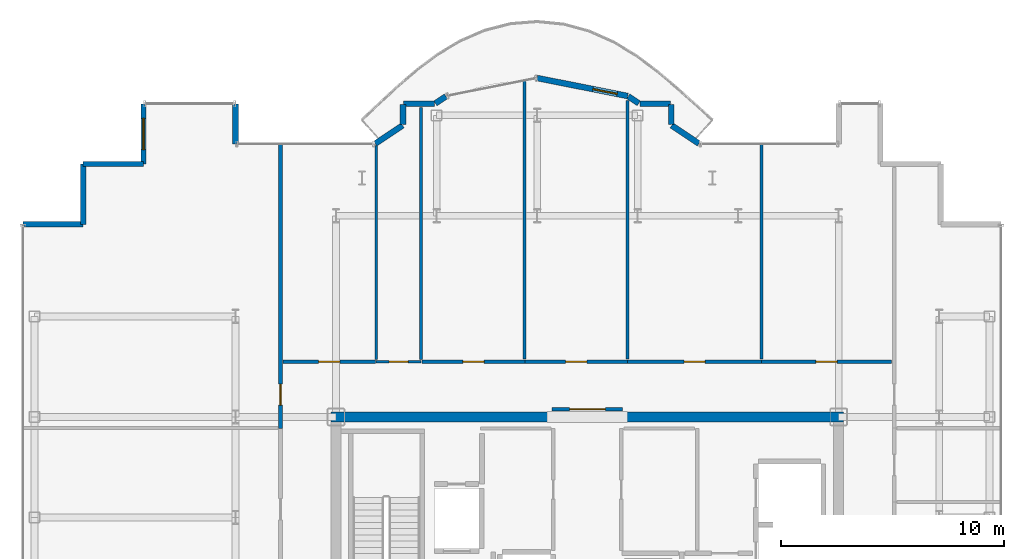
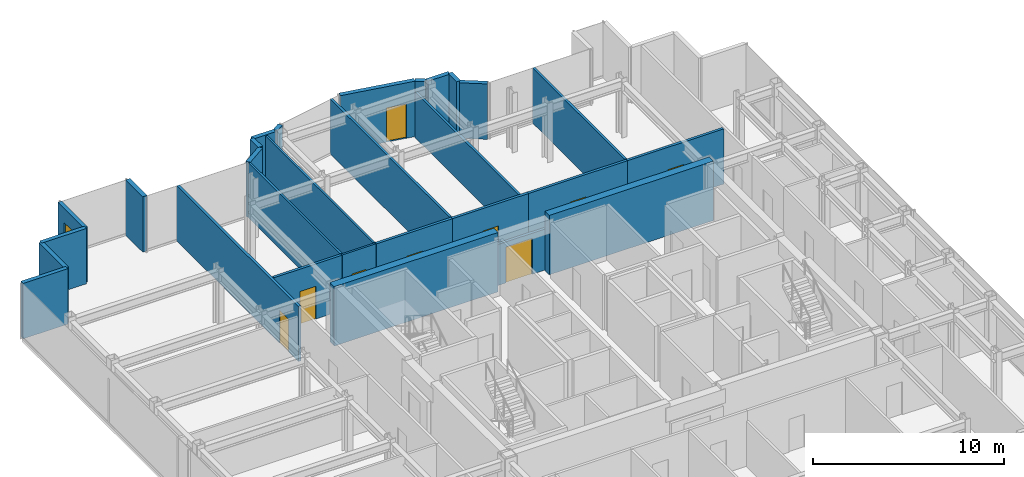
# One storey, part 16 of 18: 29 walls, 9 doors, 1 window, 10 openings.
"""IFC4 building model written with IfcOpenShell, lengths in metres."""

from ifc_helpers import new_model, si_unit, direction, frame, frame_2d, origin, place, context, subcontext, project, spatial, rectangle, extrude, source, transform, mapped, material, layer, layer_set, type_object, element, fill, save


model = new_model("IFC4")

# Units and contexts
model_context = context("Model", 3, precision=1e-05, world=origin(), true_north=direction((0.0, 1.0)))
body_context = subcontext(model_context, "Body", "Model", "MODEL_VIEW")
ifc_project = project(units=[si_unit("LENGTHUNIT", "METRE"), si_unit("AREAUNIT", "SQUARE_METRE"), si_unit("VOLUMEUNIT", "CUBIC_METRE"), si_unit("PLANEANGLEUNIT", "RADIAN"), si_unit("MASSUNIT", "GRAM", prefix="KILO")], contexts=[model_context])

# Site, building, storey
site_placement = place(None, origin())
site = spatial("IfcSite", under=ifc_project, at=site_placement, CompositionType="ELEMENT")
building_placement = place(site_placement, origin())
building = spatial("IfcBuilding", under=site, at=building_placement, Name="Nefas-Gora Pilgrimage Tower", CompositionType="ELEMENT")
storey_placement = place(building_placement, frame((0.0, 0.0, 291.199951171875)))
storey = spatial("IfcBuildingStorey", under=building, at=storey_placement, Name="L73", CompositionType="ELEMENT", Elevation=291.199951171875)

# Walls
ifc_material_1 = material(Name="Concrete C50/60", Category="concrete")
ifc_layer_1 = layer(ifc_material_1, 0.449951171875)
ifc_layer_set_1 = layer_set([ifc_layer_1], Name="Concrete C50/60")
wall_type_1 = type_object("IfcWallType", Name="SW-CORE-450", PredefinedType="SHEAR", material=ifc_layer_set_1)
shared_shape_1 = source(origin(), body_context, "Body", "SweptSolid", [
    extrude(rectangle(XDim=9.925048828125, YDim=0.449951171875, at=frame_2d((4.96240234375, 0.0))), origin(), (0.0, 0.0, 1.0), 3.800048828125),
])
for number, where, z_axis, x_axis, name in (
    (1, (-11.47509765625, 9.0, 0.0), (0.0, 0.0, 1.0), (1.0, 0.0, 0.0), "L73 Core Shear Wall N-West"),
    (2, (1.550048828125, 9.0, 0.0), (0.0, 0.0, 1.0), (1.0, 0.0, 0.0), "L73 Core Shear Wall N-East"),
):
    element("IfcWall", number, at=place(storey_placement, frame(where, z_axis=z_axis, x_axis=x_axis)), inside=storey, type_object=wall_type_1, Name=name, PredefinedType="SHEAR", context=body_context, shape_type="MappedRepresentation", body=[
        mapped(shared_shape_1, transform((0.0, 0.0, 0.0), x_axis=(1.0, 0.0, 0.0), y_axis=(0.0, 1.0, 0.0), z_axis=(0.0, 0.0, 1.0), scale=1.0)),
    ])
ifc_material_2 = material(Name="Precast concrete C40/50", Category="concrete")
ifc_layer_2 = layer(ifc_material_2, 0.260009765625)
ifc_layer_set_2 = layer_set([ifc_layer_2], Name="Precast concrete C40/50")
wall_type_2 = type_object("IfcWallType", Name="EW-PORTAL-260", PredefinedType="SOLIDWALL", material=ifc_layer_set_2)
shared_shape_2 = source(origin(), body_context, "Body", "SweptSolid", [
    extrude(rectangle(XDim=1.800048828125, YDim=0.260009765625, at=frame_2d((0.89990234375, 0.0))), origin(), (0.0, 0.0, 1.0), 3.550048828125),
])
wall_1_placement = place(storey_placement, frame((-15.75, 21.219970703125, 0.0), z_axis=(0.0, 0.0, 1.0), x_axis=(0.0, 1.0, 0.0)))
element("IfcWall", 3, at=wall_1_placement, inside=storey, type_object=wall_type_2, Name="L73 Lobe Shoulder Precast Spandrel Pier 16", PredefinedType="SOLIDWALL", context=body_context, shape_type="MappedRepresentation", body=[
    mapped(shared_shape_2, transform((0.0, 0.0, 0.0), x_axis=(1.0, 0.0, 0.0), y_axis=(0.0, 1.0, 0.0), z_axis=(0.0, 0.0, 1.0), scale=1.0)),
])

# Wall, opening, window
ifc_material_3 = material(Name="Precast concrete C45/55", Category="concrete")
ifc_layer_3 = layer(ifc_material_3, 0.239990234375)
ifc_layer_set_3 = layer_set([ifc_layer_3], Name="Precast concrete C45/55")
wall_type_3 = type_object("IfcWallType", Name="EW-SERR-240", PredefinedType="SHEAR", material=ifc_layer_set_3)
shared_shape_3 = source(origin(), body_context, "Body", "SweptSolid", [
    extrude(rectangle(XDim=2.699951171875, YDim=0.239990234375, at=frame_2d((1.35009765625, 0.0))), origin(), (0.0, 0.0, 1.0), 3.550048828125),
])
wall_2_placement = place(storey_placement, frame((-19.8701171875, 23.02001953125, 0.0), z_axis=(0.0, 0.0, 1.0), x_axis=(0.0, -1.0, 0.0)))
wall_2 = element("IfcWall", 4, at=wall_2_placement, inside=storey, type_object=wall_type_3, Name="L73 Serrated Corner Shear Pier Wall 17", PredefinedType="SHEAR", context=body_context, shape_type="MappedRepresentation", body=[
    mapped(shared_shape_3, transform((0.0, 0.0, 0.0), x_axis=(1.0, 0.0, 0.0), y_axis=(0.0, 1.0, 0.0), z_axis=(0.0, 0.0, 1.0), scale=1.0)),
])
opening_1_placement = place(wall_2_placement, frame((0.64990234375, 0.0, 0.85009765625)))
opening_1 = element("IfcOpeningElement", 5, at=opening_1_placement, cuts=wall_2, Name="Opening W-V2", PredefinedType="OPENING", context=body_context, shape_type="SweptSolid", body=[
    extrude(rectangle(XDim=1.39990234375, YDim=1.800048828125, at=frame_2d((0.699951171875, 0.89990234375))), frame((0.0, 0.1298828125, 0.0), z_axis=(0.0, -1.0, 0.0), x_axis=(1.0, 0.0, 0.0)), (0.0, 0.0, 1.0), 0.260009765625),
])
ifc_material_4 = material(Name="Dark ceramic-fritted operable aluminium-glass window", Category="aluminium")
window_type = type_object("IfcWindowType", Name="WIN-VENT-1400x1800", PartitioningType="SINGLE_PANEL", PredefinedType="WINDOW", material=ifc_material_4)
shared_shape_4 = source(origin(), body_context, "Body", "SweptSolid", [
    extrude(rectangle(XDim=1.39990234375, YDim=1.800048828125, at=frame_2d((0.699951171875, 0.89990234375))), frame((0.0, 0.030029296875, 0.0), z_axis=(0.0, -1.0, 0.0), x_axis=(1.0, 0.0, 0.0)), (0.0, 0.0, 1.0), 0.06005859375),
])
window_placement = place(opening_1_placement, origin())
window = element("IfcWindow", 6, at=window_placement, inside=storey, type_object=window_type, Name="L73 Operable Parallel-Outswing Window 17", OverallHeight=1.800048828125, OverallWidth=1.39990234375, PartitioningType="SINGLE_PANEL", PredefinedType="WINDOW", context=body_context, shape_type="MappedRepresentation", body=[
    mapped(shared_shape_4, transform((0.0, 0.0, 0.0), x_axis=(1.0, 0.0, 0.0), y_axis=(0.0, 1.0, 0.0), z_axis=(0.0, 0.0, 1.0), scale=1.0)),
])
fill(opening_1, window)

# Walls
for number, where, z_axis, x_axis, name in (
    (7, (-19.8701171875, 20.320068359375, 0.0), (0.0, 0.0, 1.0), (-1.0, 0.0, 0.0), "L73 Serrated Corner Shear Pier Wall 18"),
    (8, (-22.570068359375, 20.320068359375, 0.0), (0.0, 0.0, 1.0), (0.0, -1.0, 0.0), "L73 Serrated Corner Shear Pier Wall 19"),
    (9, (-22.570068359375, 17.6201171875, 0.0), (0.0, 0.0, 1.0), (-1.0, 0.0, 0.0), "L73 Serrated Corner Shear Pier Wall 20"),
):
    element("IfcWall", number, at=place(storey_placement, frame(where, z_axis=z_axis, x_axis=x_axis)), inside=storey, type_object=wall_type_3, Name=name, PredefinedType="SHEAR", context=body_context, shape_type="MappedRepresentation", body=[
        mapped(shared_shape_3, transform((0.0, 0.0, 0.0), x_axis=(1.0, 0.0, 0.0), y_axis=(0.0, 1.0, 0.0), z_axis=(0.0, 0.0, 1.0), scale=1.0)),
    ])
shared_shape_5 = source(origin(), body_context, "Body", "SweptSolid", [
    extrude(rectangle(XDim=1.468994140625, YDim=0.260009765625, at=frame_2d((0.734375, 0.0))), origin(), (0.0, 0.0, 1.0), 3.550048828125),
])
for number, where, z_axis, x_axis, name in (
    (10, (4.99462890625, 21.235595703125, 0.0), (0.0, 0.0, 1.0), (-0.831461760506, 0.555581983884, 0.0), "L73 Lobe Shoulder Precast Spandrel Pier 7"),
    (11, (-8.273193359375, 22.0517578125, 0.0), (0.0, 0.0, 1.0), (-0.831461760506, -0.555581983884, 0.0), "L73 Lobe Shoulder Precast Spandrel Pier 15"),
):
    element("IfcWall", number, at=place(storey_placement, frame(where, z_axis=z_axis, x_axis=x_axis)), inside=storey, type_object=wall_type_2, Name=name, PredefinedType="SOLIDWALL", context=body_context, shape_type="MappedRepresentation", body=[
        mapped(shared_shape_5, transform((0.0, 0.0, 0.0), x_axis=(1.0, 0.0, 0.0), y_axis=(0.0, 1.0, 0.0), z_axis=(0.0, 0.0, 1.0), scale=1.0)),
    ])
shared_shape_6 = source(origin(), body_context, "Body", "SweptSolid", [
    extrude(rectangle(XDim=0.896728515625, YDim=0.260009765625, at=frame_2d((0.4482421875, 0.0))), origin(), (0.0, 0.0, 1.0), 3.550048828125),
])
for number, where, z_axis, x_axis, name in (
    (12, (3.75, 22.09521484375, 0.0), (0.0, 0.0, 1.0), (0.0, 1.0, 0.0), "L73 Lobe Shoulder Precast Spandrel Pier 8"),
    (13, (-8.25, 22.991943359375, 0.0), (0.0, 0.0, 1.0), (0.0, -1.0, 0.0), "L73 Lobe Shoulder Precast Spandrel Pier 14"),
):
    element("IfcWall", number, at=place(storey_placement, frame(where, z_axis=z_axis, x_axis=x_axis)), inside=storey, type_object=wall_type_2, Name=name, PredefinedType="SOLIDWALL", context=body_context, shape_type="MappedRepresentation", body=[
        mapped(shared_shape_6, transform((0.0, 0.0, 0.0), x_axis=(1.0, 0.0, 0.0), y_axis=(0.0, 1.0, 0.0), z_axis=(0.0, 0.0, 1.0), scale=1.0)),
    ])
shared_shape_7 = source(origin(), body_context, "Body", "SweptSolid", [
    extrude(rectangle(XDim=1.369873046875, YDim=0.260009765625, at=frame_2d((0.68505859375, 0.0))), origin(), (0.0, 0.0, 1.0), 3.550048828125),
])
for number, where, z_axis, x_axis, name in (
    (14, (3.721923828125, 23.02001953125, 0.0), (0.0, 0.0, 1.0), (-1.0, 0.0, 0.0), "L73 Lobe Shoulder Precast Spandrel Pier 9"),
    (15, (-6.85205078125, 23.02001953125, 0.0), (0.0, 0.0, 1.0), (-1.0, 0.0, 0.0), "L73 Lobe Shoulder Precast Spandrel Pier 13"),
):
    element("IfcWall", number, at=place(storey_placement, frame(where, z_axis=z_axis, x_axis=x_axis)), inside=storey, type_object=wall_type_2, Name=name, PredefinedType="SOLIDWALL", context=body_context, shape_type="MappedRepresentation", body=[
        mapped(shared_shape_7, transform((0.0, 0.0, 0.0), x_axis=(1.0, 0.0, 0.0), y_axis=(0.0, 1.0, 0.0), z_axis=(0.0, 0.0, 1.0), scale=1.0)),
    ])
shared_shape_8 = source(origin(), body_context, "Body", "SweptSolid", [
    extrude(rectangle(XDim=0.5654296875, YDim=0.260009765625, at=frame_2d((0.28271484375, 0.0))), origin(), (0.0, 0.0, 1.0), 3.550048828125),
])
for number, where, z_axis, x_axis, name in (
    (16, (2.30078125, 23.03564453125, 0.0), (0.0, 0.0, 1.0), (-0.831651492666, 0.555297933317, 0.0), "L73 Lobe Shoulder Precast Spandrel Pier 10"),
    (17, (-6.33056640625, 23.349609375, 0.0), (0.0, 0.0, 1.0), (-0.831651492666, -0.555297933317, 0.0), "L73 Lobe Shoulder Precast Spandrel Pier 12"),
):
    element("IfcWall", number, at=place(storey_placement, frame(where, z_axis=z_axis, x_axis=x_axis)), inside=storey, type_object=wall_type_2, Name=name, PredefinedType="SOLIDWALL", context=body_context, shape_type="MappedRepresentation", body=[
        mapped(shared_shape_8, transform((0.0, 0.0, 0.0), x_axis=(1.0, 0.0, 0.0), y_axis=(0.0, 1.0, 0.0), z_axis=(0.0, 0.0, 1.0), scale=1.0)),
    ])

# Wall, opening, door
shared_shape_9 = source(origin(), body_context, "Body", "SweptSolid", [
    extrude(rectangle(XDim=4.136962890625, YDim=0.260009765625, at=frame_2d((2.068359375, 0.0))), origin(), (0.0, 0.0, 1.0), 3.550048828125),
])
wall_3_placement = place(storey_placement, frame((1.807373046875, 23.365234375, 0.0), z_axis=(0.0, 0.0, 1.0), x_axis=(-0.980782170794, 0.195105954428, 0.0)))
wall_3 = element("IfcWall", 18, at=wall_3_placement, inside=storey, type_object=wall_type_2, Name="L73 Insulated Terrace Portal Wall 11", PredefinedType="SOLIDWALL", context=body_context, shape_type="MappedRepresentation", body=[
    mapped(shared_shape_9, transform((0.0, 0.0, 0.0), x_axis=(1.0, 0.0, 0.0), y_axis=(0.0, 1.0, 0.0), z_axis=(0.0, 0.0, 1.0), scale=1.0)),
])
opening_2_placement = place(wall_3_placement, frame((0.48779296875, 0.0, 0.0)))
opening_2 = element("IfcOpeningElement", 19, at=opening_2_placement, cuts=wall_3, Name="Opening ED-B1", PredefinedType="OPENING", context=body_context, shape_type="SweptSolid", body=[
    extrude(rectangle(XDim=1.10009765625, YDim=2.199951171875, at=frame_2d((0.550048828125, 1.10009765625))), frame((0.0, 0.139892578125, 0.0), z_axis=(0.0, -1.0, 0.0), x_axis=(1.0, 0.0, 0.0)), (0.0, 0.0, 1.0), 0.280029296875),
])
ifc_material_5 = material(Name="Thermally broken glazed aluminium balcony door", Category="aluminium")
door_type_1 = type_object("IfcDoorType", Name="DR-EXT-BAL-1100", OperationType="NOTDEFINED", PredefinedType="DOOR", material=ifc_material_5)
shared_shape_10 = source(origin(), body_context, "Body", "SweptSolid", [
    extrude(rectangle(XDim=1.10009765625, YDim=2.199951171875, at=frame_2d((0.550048828125, 1.10009765625))), frame((0.0, 0.02490234375, 0.0), z_axis=(0.0, -1.0, 0.0), x_axis=(1.0, 0.0, 0.0)), (0.0, 0.0, 1.0), 0.050048828125),
])
door_1_placement = place(opening_2_placement, origin())
door_1 = element("IfcDoor", 20, at=door_1_placement, inside=storey, type_object=door_type_1, Name="L73 Exterior Door (L73 N Lobe Wave Balcony)", OperationType="SINGLE_SWING_RIGHT", OverallHeight=2.199951171875, OverallWidth=1.10009765625, PredefinedType="DOOR", context=body_context, shape_type="MappedRepresentation", body=[
    mapped(shared_shape_10, transform((0.0, 0.0, 0.0), x_axis=(1.0, 0.0, 0.0), y_axis=(0.0, 1.0, 0.0), z_axis=(0.0, 0.0, 1.0), scale=1.0)),
])
fill(opening_2, door_1)

ifc_material_6 = material(Name="Moisture-resistant fire-rated gypsum partition")
ifc_layer_4 = layer(ifc_material_6, 0.1201171875)
ifc_layer_set_4 = layer_set([ifc_layer_4], Name="Moisture-resistant fire-rated gypsum partition")
wall_type_4 = type_object("IfcWallType", Name="IW-WET-120", PredefinedType="PLUMBINGWALL", material=ifc_layer_set_4)
shared_shape_11 = source(origin(), body_context, "Body", "SweptSolid", [
    extrude(rectangle(XDim=2.02001953125, YDim=0.1201171875, at=frame_2d((1.010009765625, 0.0))), origin(), (0.0, 0.0, 1.0), 3.53515625),
])
wall_4_placement = place(storey_placement, frame((-9.4599609375, 11.469970703125, 0.0), z_axis=(0.0, 0.0, 1.0), x_axis=(1.0, 0.0, 0.0)))
wall_4 = element("IfcWall", 21, at=wall_4_placement, inside=storey, type_object=wall_type_4, Name="L73 Accessible Unisex WC Partition Wall 30", PredefinedType="PLUMBINGWALL", context=body_context, shape_type="MappedRepresentation", body=[
    mapped(shared_shape_11, transform((0.0, 0.0, 0.0), x_axis=(1.0, 0.0, 0.0), y_axis=(0.0, 1.0, 0.0), z_axis=(0.0, 0.0, 1.0), scale=1.0)),
])
opening_3_placement = place(wall_4_placement, frame((0.5849609375, 0.0, 0.0)))
opening_3 = element("IfcOpeningElement", 22, at=opening_3_placement, cuts=wall_4, Name="Opening ID-BT1", PredefinedType="OPENING", context=body_context, shape_type="SweptSolid", body=[
    extrude(rectangle(XDim=0.85009765625, YDim=2.10009765625, at=frame_2d((0.425048828125, 1.050048828125))), frame((0.0, 0.070068359375, 0.0), z_axis=(0.0, -1.0, 0.0), x_axis=(1.0, 0.0, 0.0)), (0.0, 0.0, 1.0), 0.14013671875),
])
ifc_material_7 = material(Name="Moisture-resistant fire-rated timber door", Category="wood")
door_type_2 = type_object("IfcDoorType", Name="DR-INT-BATH-850", OperationType="NOTDEFINED", PredefinedType="DOOR", material=ifc_material_7)
shared_shape_12 = source(origin(), body_context, "Body", "SweptSolid", [
    extrude(rectangle(XDim=0.85009765625, YDim=2.10009765625, at=frame_2d((0.425048828125, 1.050048828125))), frame((0.0, 0.02490234375, 0.0), z_axis=(0.0, -1.0, 0.0), x_axis=(1.0, 0.0, 0.0)), (0.0, 0.0, 1.0), 0.050048828125),
])
door_2_placement = place(opening_3_placement, origin())
door_2 = element("IfcDoor", 23, at=door_2_placement, inside=storey, type_object=door_type_2, Name="L73 Accessible Unisex WC Door 13", OperationType="SINGLE_SWING_LEFT", OverallHeight=2.10009765625, OverallWidth=0.85009765625, PredefinedType="DOOR", context=body_context, shape_type="MappedRepresentation", body=[
    mapped(shared_shape_12, transform((0.0, 0.0, 0.0), x_axis=(1.0, 0.0, 0.0), y_axis=(0.0, 1.0, 0.0), z_axis=(0.0, 0.0, 1.0), scale=1.0)),
])
fill(opening_3, door_2)

# Walls
shared_shape_13 = source(origin(), body_context, "Body", "SweptSolid", [
    extrude(rectangle(XDim=11.280029296875, YDim=0.1201171875, at=frame_2d((5.64013671875, 0.0))), origin(), (0.0, 0.0, 1.0), 3.53515625),
])
wall_5_placement = place(storey_placement, frame((-7.449951171875, 11.570068359375, 0.0), z_axis=(0.0, 0.0, 1.0), x_axis=(0.0, 1.0, 0.0)))
element("IfcWall", 24, at=wall_5_placement, inside=storey, type_object=wall_type_4, Name="L73 Accessible Unisex WC Partition Wall 31", PredefinedType="PLUMBINGWALL", context=body_context, shape_type="MappedRepresentation", body=[
    mapped(shared_shape_13, transform((0.0, 0.0, 0.0), x_axis=(1.0, 0.0, 0.0), y_axis=(0.0, 1.0, 0.0), z_axis=(0.0, 0.0, 1.0), scale=1.0)),
])
shared_shape_14 = source(origin(), body_context, "Body", "SweptSolid", [
    extrude(rectangle(XDim=9.586669921875, YDim=0.1201171875, at=frame_2d((4.79345703125, 0.0))), origin(), (0.0, 0.0, 1.0), 3.53515625),
])
wall_6_placement = place(storey_placement, frame((-9.449951171875, 11.570068359375, 0.0), z_axis=(0.0, 0.0, 1.0), x_axis=(0.0, 1.0, 0.0)))
element("IfcWall", 25, at=wall_6_placement, inside=storey, type_object=wall_type_4, Name="L73 Accessible Unisex WC Partition Wall 32", PredefinedType="PLUMBINGWALL", context=body_context, shape_type="MappedRepresentation", body=[
    mapped(shared_shape_14, transform((0.0, 0.0, 0.0), x_axis=(1.0, 0.0, 0.0), y_axis=(0.0, 1.0, 0.0), z_axis=(0.0, 0.0, 1.0), scale=1.0)),
])

# Wall, opening, door
ifc_material_8 = material(Name="Gypsum acoustic stud partition")
ifc_layer_5 = layer(ifc_material_8, 0.159912109375)
ifc_layer_set_5 = layer_set([ifc_layer_5], Name="Gypsum acoustic stud partition")
wall_type_5 = type_object("IfcWallType", Name="IW-CORR-160", PredefinedType="PARTITIONING", material=ifc_layer_set_5)
shared_shape_15 = source(origin(), body_context, "Body", "SweptSolid", [
    extrude(rectangle(XDim=4.125, YDim=0.159912109375, at=frame_2d((2.0625, 0.0))), origin(), (0.0, 0.0, 1.0), 3.53515625),
])
wall_7_placement = place(storey_placement, frame((-13.6201171875, 11.469970703125, 0.0), z_axis=(0.0, 0.0, 1.0), x_axis=(1.0, 0.0, 0.0)))
wall_7 = element("IfcWall", 26, at=wall_7_placement, inside=storey, type_object=wall_type_5, Name="L73 Pilgrim Contemplative Lounge Partition Wall 51", PredefinedType="PARTITIONING", context=body_context, shape_type="MappedRepresentation", body=[
    mapped(shared_shape_15, transform((0.0, 0.0, 0.0), x_axis=(1.0, 0.0, 0.0), y_axis=(0.0, 1.0, 0.0), z_axis=(0.0, 0.0, 1.0), scale=1.0)),
])
opening_4_placement = place(wall_7_placement, frame((1.58740234375, 0.0, 0.0)))
opening_4 = element("IfcOpeningElement", 27, at=opening_4_placement, cuts=wall_7, Name="Opening ID-GR1", PredefinedType="OPENING", context=body_context, shape_type="SweptSolid", body=[
    extrude(rectangle(XDim=0.949951171875, YDim=2.10009765625, at=frame_2d((0.47509765625, 1.050048828125))), frame((0.0, 0.08984375, 0.0), z_axis=(0.0, -1.0, 0.0), x_axis=(1.0, 0.0, 0.0)), (0.0, 0.0, 1.0), 0.179931640625),
])
ifc_material_9 = material(Name="Solid core oak fire-rated guest entrance door")
door_type_3 = type_object("IfcDoorType", Name="DR-INT-GUEST-950", OperationType="NOTDEFINED", PredefinedType="DOOR", material=ifc_material_9)
shared_shape_16 = source(origin(), body_context, "Body", "SweptSolid", [
    extrude(rectangle(XDim=0.949951171875, YDim=2.10009765625, at=frame_2d((0.47509765625, 1.050048828125))), frame((0.0, 0.02490234375, 0.0), z_axis=(0.0, -1.0, 0.0), x_axis=(1.0, 0.0, 0.0)), (0.0, 0.0, 1.0), 0.050048828125),
])
door_3_placement = place(opening_4_placement, origin())
door_3 = element("IfcDoor", 28, at=door_3_placement, inside=storey, type_object=door_type_3, Name="L73 Pilgrim Contemplative Lounge Door 24", OperationType="SINGLE_SWING_RIGHT", OverallHeight=2.10009765625, OverallWidth=0.949951171875, PredefinedType="DOOR", context=body_context, shape_type="MappedRepresentation", body=[
    mapped(shared_shape_16, transform((0.0, 0.0, 0.0), x_axis=(1.0, 0.0, 0.0), y_axis=(0.0, 1.0, 0.0), z_axis=(0.0, 0.0, 1.0), scale=1.0)),
])
fill(opening_4, door_3)

# Wall
ifc_material_10 = material(Name="Gypsum twin-stud partition")
ifc_layer_6 = layer(ifc_material_10, 0.139892578125)
ifc_layer_set_6 = layer_set([ifc_layer_6], Name="Gypsum twin-stud partition")
wall_type_6 = type_object("IfcWallType", Name="IW-UNIT-140", PredefinedType="PARTITIONING", material=ifc_layer_set_6)
shared_shape_17 = source(origin(), body_context, "Body", "SweptSolid", [
    extrude(rectangle(XDim=9.64990234375, YDim=0.139892578125, at=frame_2d((4.824951171875, 0.0))), origin(), (0.0, 0.0, 1.0), 3.53515625),
])
wall_8_placement = place(storey_placement, frame((7.794921875, 11.590087890625, 0.0), z_axis=(0.0, 0.0, 1.0), x_axis=(0.0, 1.0, 0.0)))
element("IfcWall", 29, at=wall_8_placement, inside=storey, type_object=wall_type_6, Name="L73 Pilgrim Contemplative Lounge Partition Wall 57", PredefinedType="PARTITIONING", context=body_context, shape_type="MappedRepresentation", body=[
    mapped(shared_shape_17, transform((0.0, 0.0, 0.0), x_axis=(1.0, 0.0, 0.0), y_axis=(0.0, 1.0, 0.0), z_axis=(0.0, 0.0, 1.0), scale=1.0)),
])

# Wall, opening, door
shared_shape_18 = source(origin(), body_context, "Body", "SweptSolid", [
    extrude(rectangle(XDim=12.75244140625, YDim=0.159912109375, at=frame_2d((6.376220703125, 0.0))), origin(), (0.0, 0.0, 1.0), 3.53515625),
])
wall_9_placement = place(storey_placement, frame((-13.739990234375, 8.487548828125, 0.0), z_axis=(0.0, 0.0, 1.0), x_axis=(0.0, 1.0, 0.0)))
wall_9 = element("IfcWall", 30, at=wall_9_placement, inside=storey, type_object=wall_type_5, Name="L73 Pilgrim Tea and Beverage Pantry Partition Wall 35", PredefinedType="PARTITIONING", context=body_context, shape_type="MappedRepresentation", body=[
    mapped(shared_shape_18, transform((0.0, 0.0, 0.0), x_axis=(1.0, 0.0, 0.0), y_axis=(0.0, 1.0, 0.0), z_axis=(0.0, 0.0, 1.0), scale=1.0)),
])
opening_5_placement = place(wall_9_placement, frame((1.0361328125, 0.0, 0.0)))
opening_5 = element("IfcOpeningElement", 31, at=opening_5_placement, cuts=wall_9, Name="Opening ID-GR1", PredefinedType="OPENING", context=body_context, shape_type="SweptSolid", body=[
    extrude(rectangle(XDim=0.949951171875, YDim=2.10009765625, at=frame_2d((0.47509765625, 1.050048828125))), frame((0.0, 0.08984375, 0.0), z_axis=(0.0, -1.0, 0.0), x_axis=(1.0, 0.0, 0.0)), (0.0, 0.0, 1.0), 0.179931640625),
])
door_4_placement = place(opening_5_placement, origin())
door_4 = element("IfcDoor", 32, at=door_4_placement, inside=storey, type_object=door_type_3, Name="L73 Pilgrim Tea and Beverage Pantry Door 15", OperationType="SINGLE_SWING_LEFT", OverallHeight=2.10009765625, OverallWidth=0.949951171875, PredefinedType="DOOR", context=body_context, shape_type="MappedRepresentation", body=[
    mapped(shared_shape_16, transform((0.0, 0.0, 0.0), x_axis=(1.0, 0.0, 0.0), y_axis=(0.0, 1.0, 0.0), z_axis=(0.0, 0.0, 1.0), scale=1.0)),
])
fill(opening_5, door_4)

shared_shape_19 = source(origin(), body_context, "Body", "SweptSolid", [
    extrude(rectangle(XDim=4.60498046875, YDim=0.159912109375, at=frame_2d((2.302490234375, 0.0))), origin(), (0.0, 0.0, 1.0), 3.53515625),
])
wall_10_placement = place(storey_placement, frame((-7.405029296875, 11.469970703125, 0.0), z_axis=(0.0, 0.0, 1.0), x_axis=(1.0, 0.0, 0.0)))
wall_10 = element("IfcWall", 33, at=wall_10_placement, inside=storey, type_object=wall_type_5, Name="L73 Pilgrim Contemplative Lounge Partition Wall 52", PredefinedType="PARTITIONING", context=body_context, shape_type="MappedRepresentation", body=[
    mapped(shared_shape_19, transform((0.0, 0.0, 0.0), x_axis=(1.0, 0.0, 0.0), y_axis=(0.0, 1.0, 0.0), z_axis=(0.0, 0.0, 1.0), scale=1.0)),
])
opening_6_placement = place(wall_10_placement, frame((1.827392578125, 0.0, 0.0)))
opening_6 = element("IfcOpeningElement", 34, at=opening_6_placement, cuts=wall_10, Name="Opening ID-GR1", PredefinedType="OPENING", context=body_context, shape_type="SweptSolid", body=[
    extrude(rectangle(XDim=0.949951171875, YDim=2.10009765625, at=frame_2d((0.47509765625, 1.050048828125))), frame((0.0, 0.08984375, 0.0), z_axis=(0.0, -1.0, 0.0), x_axis=(1.0, 0.0, 0.0)), (0.0, 0.0, 1.0), 0.179931640625),
])
door_5_placement = place(opening_6_placement, origin())
door_5 = element("IfcDoor", 35, at=door_5_placement, inside=storey, type_object=door_type_3, Name="L73 Pilgrim Contemplative Lounge Door 25", OperationType="SINGLE_SWING_LEFT", OverallHeight=2.10009765625, OverallWidth=0.949951171875, PredefinedType="DOOR", context=body_context, shape_type="MappedRepresentation", body=[
    mapped(shared_shape_16, transform((0.0, 0.0, 0.0), x_axis=(1.0, 0.0, 0.0), y_axis=(0.0, 1.0, 0.0), z_axis=(0.0, 0.0, 1.0), scale=1.0)),
])
fill(opening_6, door_5)

wall_11_placement = place(storey_placement, frame((-2.800048828125, 11.469970703125, 0.0), z_axis=(0.0, 0.0, 1.0), x_axis=(1.0, 0.0, 0.0)))
wall_11 = element("IfcWall", 36, at=wall_11_placement, inside=storey, type_object=wall_type_5, Name="L73 Pilgrim Contemplative Lounge Partition Wall 54", PredefinedType="PARTITIONING", context=body_context, shape_type="MappedRepresentation", body=[
    mapped(shared_shape_19, transform((0.0, 0.0, 0.0), x_axis=(1.0, 0.0, 0.0), y_axis=(0.0, 1.0, 0.0), z_axis=(0.0, 0.0, 1.0), scale=1.0)),
])
opening_7_placement = place(wall_11_placement, frame((1.827392578125, 0.0, 0.0)))
opening_7 = element("IfcOpeningElement", 37, at=opening_7_placement, cuts=wall_11, Name="Opening ID-GR1", PredefinedType="OPENING", context=body_context, shape_type="SweptSolid", body=[
    extrude(rectangle(XDim=0.949951171875, YDim=2.10009765625, at=frame_2d((0.47509765625, 1.050048828125))), frame((0.0, 0.08984375, 0.0), z_axis=(0.0, -1.0, 0.0), x_axis=(1.0, 0.0, 0.0)), (0.0, 0.0, 1.0), 0.179931640625),
])
door_6_placement = place(opening_7_placement, origin())
door_6 = element("IfcDoor", 38, at=door_6_placement, inside=storey, type_object=door_type_3, Name="L73 Pilgrim Contemplative Lounge Door 26", OperationType="SINGLE_SWING_RIGHT", OverallHeight=2.10009765625, OverallWidth=0.949951171875, PredefinedType="DOOR", context=body_context, shape_type="MappedRepresentation", body=[
    mapped(shared_shape_16, transform((0.0, 0.0, 0.0), x_axis=(1.0, 0.0, 0.0), y_axis=(0.0, 1.0, 0.0), z_axis=(0.0, 0.0, 1.0), scale=1.0)),
])
fill(opening_7, door_6)

# Wall
shared_shape_20 = source(origin(), body_context, "Body", "SweptSolid", [
    extrude(rectangle(XDim=12.4951171875, YDim=0.139892578125, at=frame_2d((6.24755859375, 0.0))), origin(), (0.0, 0.0, 1.0), 3.53515625),
])
wall_12_placement = place(storey_placement, frame((-2.81005859375, 11.590087890625, 0.0), z_axis=(0.0, 0.0, 1.0), x_axis=(0.0, 1.0, 0.0)))
element("IfcWall", 39, at=wall_12_placement, inside=storey, type_object=wall_type_6, Name="L73 Pilgrim Contemplative Lounge Partition Wall 53", PredefinedType="PARTITIONING", context=body_context, shape_type="MappedRepresentation", body=[
    mapped(shared_shape_20, transform((0.0, 0.0, 0.0), x_axis=(1.0, 0.0, 0.0), y_axis=(0.0, 1.0, 0.0), z_axis=(0.0, 0.0, 1.0), scale=1.0)),
])

# Wall, opening, door
shared_shape_21 = source(origin(), body_context, "Body", "SweptSolid", [
    extrude(rectangle(XDim=6.010009765625, YDim=0.159912109375, at=frame_2d((3.0048828125, 0.0))), origin(), (0.0, 0.0, 1.0), 3.53515625),
])
wall_13_placement = place(storey_placement, frame((1.794921875, 11.469970703125, 0.0), z_axis=(0.0, 0.0, 1.0), x_axis=(1.0, 0.0, 0.0)))
wall_13 = element("IfcWall", 40, at=wall_13_placement, inside=storey, type_object=wall_type_5, Name="L73 Pilgrim Contemplative Lounge Partition Wall 56", PredefinedType="PARTITIONING", context=body_context, shape_type="MappedRepresentation", body=[
    mapped(shared_shape_21, transform((0.0, 0.0, 0.0), x_axis=(1.0, 0.0, 0.0), y_axis=(0.0, 1.0, 0.0), z_axis=(0.0, 0.0, 1.0), scale=1.0)),
])
opening_8_placement = place(wall_13_placement, frame((2.530029296875, 0.0, 0.0)))
opening_8 = element("IfcOpeningElement", 41, at=opening_8_placement, cuts=wall_13, Name="Opening ID-GR1", PredefinedType="OPENING", context=body_context, shape_type="SweptSolid", body=[
    extrude(rectangle(XDim=0.949951171875, YDim=2.10009765625, at=frame_2d((0.47509765625, 1.050048828125))), frame((0.0, 0.08984375, 0.0), z_axis=(0.0, -1.0, 0.0), x_axis=(1.0, 0.0, 0.0)), (0.0, 0.0, 1.0), 0.179931640625),
])
door_7_placement = place(opening_8_placement, origin())
door_7 = element("IfcDoor", 42, at=door_7_placement, inside=storey, type_object=door_type_3, Name="L73 Pilgrim Contemplative Lounge Door 27", OperationType="SINGLE_SWING_LEFT", OverallHeight=2.10009765625, OverallWidth=0.949951171875, PredefinedType="DOOR", context=body_context, shape_type="MappedRepresentation", body=[
    mapped(shared_shape_16, transform((0.0, 0.0, 0.0), x_axis=(1.0, 0.0, 0.0), y_axis=(0.0, 1.0, 0.0), z_axis=(0.0, 0.0, 1.0), scale=1.0)),
])
fill(opening_8, door_7)

shared_shape_22 = source(origin(), body_context, "Body", "SweptSolid", [
    extrude(rectangle(XDim=5.8251953125, YDim=0.159912109375, at=frame_2d((2.91259765625, 0.0))), origin(), (0.0, 0.0, 1.0), 3.53515625),
])
wall_14_placement = place(storey_placement, frame((7.794921875, 11.469970703125, 0.0), z_axis=(0.0, 0.0, 1.0), x_axis=(1.0, 0.0, 0.0)))
wall_14 = element("IfcWall", 43, at=wall_14_placement, inside=storey, type_object=wall_type_5, Name="L73 Pilgrim Contemplative Lounge Partition Wall 58", PredefinedType="PARTITIONING", context=body_context, shape_type="MappedRepresentation", body=[
    mapped(shared_shape_22, transform((0.0, 0.0, 0.0), x_axis=(1.0, 0.0, 0.0), y_axis=(0.0, 1.0, 0.0), z_axis=(0.0, 0.0, 1.0), scale=1.0)),
])
opening_9_placement = place(wall_14_placement, frame((2.4375, 0.0, 0.0)))
opening_9 = element("IfcOpeningElement", 44, at=opening_9_placement, cuts=wall_14, Name="Opening ID-GR1", PredefinedType="OPENING", context=body_context, shape_type="SweptSolid", body=[
    extrude(rectangle(XDim=0.949951171875, YDim=2.10009765625, at=frame_2d((0.47509765625, 1.050048828125))), frame((0.0, 0.08984375, 0.0), z_axis=(0.0, -1.0, 0.0), x_axis=(1.0, 0.0, 0.0)), (0.0, 0.0, 1.0), 0.179931640625),
])
door_8_placement = place(opening_9_placement, origin())
door_8 = element("IfcDoor", 45, at=door_8_placement, inside=storey, type_object=door_type_3, Name="L73 Pilgrim Contemplative Lounge Door 28", OperationType="SINGLE_SWING_RIGHT", OverallHeight=2.10009765625, OverallWidth=0.949951171875, PredefinedType="DOOR", context=body_context, shape_type="MappedRepresentation", body=[
    mapped(shared_shape_16, transform((0.0, 0.0, 0.0), x_axis=(1.0, 0.0, 0.0), y_axis=(0.0, 1.0, 0.0), z_axis=(0.0, 0.0, 1.0), scale=1.0)),
])
fill(opening_9, door_8)

shared_shape_23 = source(origin(), body_context, "Body", "SweptSolid", [
    extrude(rectangle(XDim=3.16015625, YDim=0.159912109375, at=frame_2d((1.580078125, 0.0))), origin(), (0.0, 0.0, 1.0), 2.625),
])
wall_15_placement = place(storey_placement, frame((-1.580078125, 9.35009765625, 0.0), z_axis=(0.0, 0.0, 1.0), x_axis=(1.0, 0.0, 0.0)))
wall_15 = element("IfcWall", 46, at=wall_15_placement, inside=storey, type_object=wall_type_5, Name="L73 Central Lift Lobby North Portal Wall 16", PredefinedType="PARTITIONING", context=body_context, shape_type="MappedRepresentation", body=[
    mapped(shared_shape_23, transform((0.0, 0.0, 0.0), x_axis=(1.0, 0.0, 0.0), y_axis=(0.0, 1.0, 0.0), z_axis=(0.0, 0.0, 1.0), scale=1.0)),
])
opening_10_placement = place(wall_15_placement, frame((0.780029296875, 0.0, 0.0)))
opening_10 = element("IfcOpeningElement", 47, at=opening_10_placement, cuts=wall_15, Name="Opening ID-HL1", PredefinedType="OPENING", context=body_context, shape_type="SweptSolid", body=[
    extrude(rectangle(XDim=1.60009765625, YDim=2.300048828125, at=frame_2d((0.800048828125, 1.14990234375))), frame((0.0, 0.08984375, 0.0), z_axis=(0.0, -1.0, 0.0), x_axis=(1.0, 0.0, 0.0)), (0.0, 0.0, 1.0), 0.179931640625),
])
ifc_material_11 = material(Name="Double acoustic timber assembly hall door", Category="wood")
door_type_4 = type_object("IfcDoorType", Name="DR-INT-HALL-1600", OperationType="DOUBLE_DOOR_SINGLE_SWING", PredefinedType="DOOR", material=ifc_material_11)
shared_shape_24 = source(origin(), body_context, "Body", "SweptSolid", [
    extrude(rectangle(XDim=1.60009765625, YDim=2.300048828125, at=frame_2d((0.800048828125, 1.14990234375))), frame((0.0, 0.02490234375, 0.0), z_axis=(0.0, -1.0, 0.0), x_axis=(1.0, 0.0, 0.0)), (0.0, 0.0, 1.0), 0.050048828125),
])
door_9_placement = place(opening_10_placement, origin())
door_9 = element("IfcDoor", 48, at=door_9_placement, inside=storey, type_object=door_type_4, Name="L73 Central Lift Lobby North Portal Door 6", OperationType="DOUBLE_DOOR_SINGLE_SWING", OverallHeight=2.300048828125, OverallWidth=1.60009765625, PredefinedType="DOOR", context=body_context, shape_type="MappedRepresentation", body=[
    mapped(shared_shape_24, transform((0.0, 0.0, 0.0), x_axis=(1.0, 0.0, 0.0), y_axis=(0.0, 1.0, 0.0), z_axis=(0.0, 0.0, 1.0), scale=1.0)),
])
fill(opening_10, door_9)

# Wall
shared_shape_25 = source(origin(), body_context, "Body", "SweptSolid", [
    extrude(rectangle(XDim=11.581298828125, YDim=0.139892578125, at=frame_2d((5.79052734375, 0.0))), origin(), (0.0, 0.0, 1.0), 2.925048828125),
])
wall_16_placement = place(storey_placement, frame((1.794921875, 11.590087890625, 0.0), z_axis=(0.0, 0.0, 1.0), x_axis=(0.0, 1.0, 0.0)))
element("IfcWall", 49, at=wall_16_placement, inside=storey, type_object=wall_type_6, Name="L73 Pilgrim Contemplative Lounge Partition Wall 55", PredefinedType="PARTITIONING", context=body_context, shape_type="MappedRepresentation", body=[
    mapped(shared_shape_25, transform((0.0, 0.0, 0.0), x_axis=(1.0, 0.0, 0.0), y_axis=(0.0, 1.0, 0.0), z_axis=(0.0, 0.0, 1.0), scale=1.0)),
])

save(model, "model.ifc")
